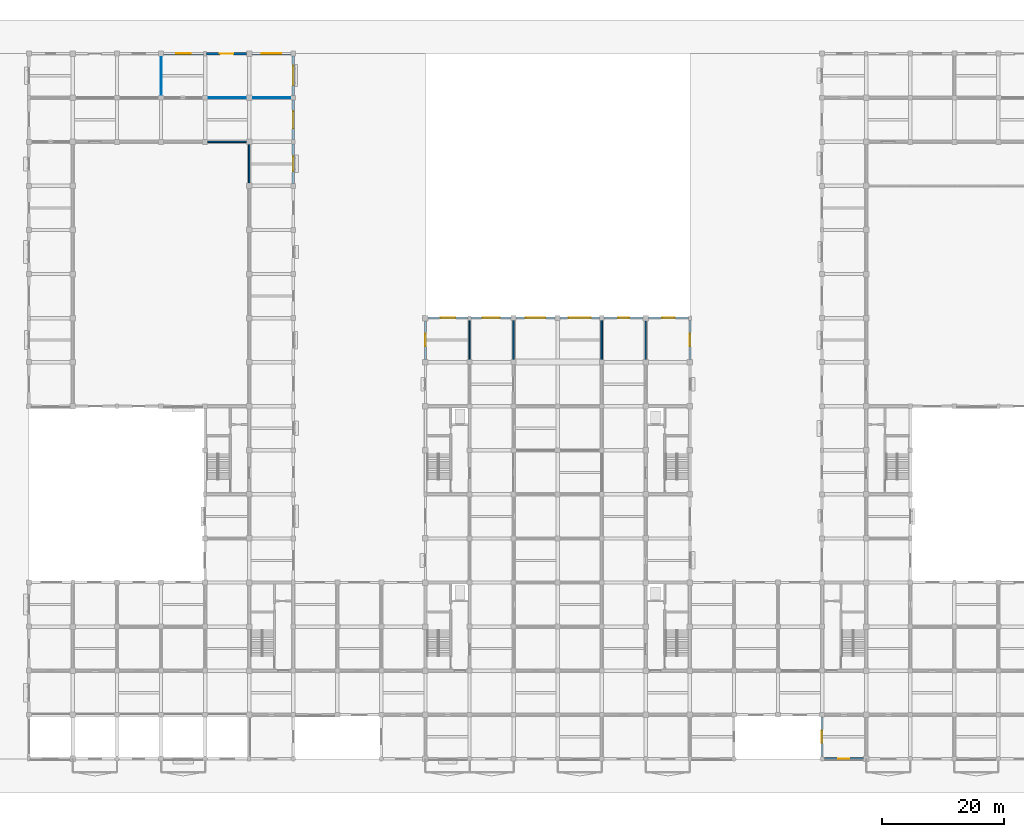
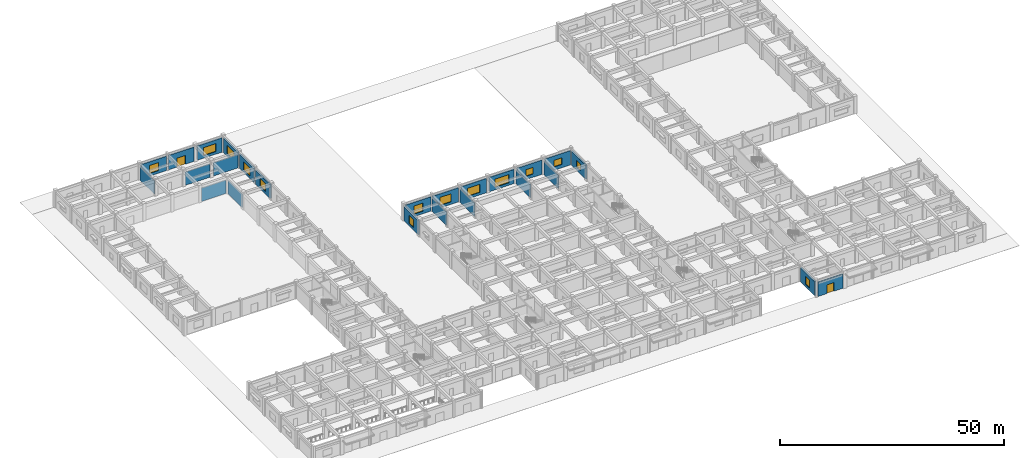
# One storey, part 16 of 37: 25 walls, 14 windows, 2 doors, 16 openings.
"""IFC4 building model written with IfcOpenShell, lengths in metres."""

import ifcopenshell
import ifcopenshell.guid

model = None  # the IFC model being written
_history = None  # IfcOwnerHistory: only IFC2X3 demands one
_inside = {}  # id of a spatial element -> (the spatial element, [elements in it])
_under = {}  # id of a project, library or spatial element -> (it, [spatial elements below it])
_declared = {}  # id of a project -> (the project, [libraries it declares])
_typed = {}  # id of a type object -> (the type object, [elements of that type])
_made_of = {}  # id of a material, layer set ... -> (it, [elements and type objects made of it])


def new_model(schema):
    """Start an empty IFC model of exactly this schema.

    Asked for "IFC4X3", IfcOpenShell would pick the latest addendum, in which some entities
    have other attributes; the version numbers below select the first issue.
    IFC2X3 requires an IfcOwnerHistory on every rooted entity: one is made here for all.
    """
    global model, _history
    if schema == "IFC4X3":
        model = ifcopenshell.file(schema_version=(4, 3, 0, 0))
    else:
        model = ifcopenshell.file(schema=schema)
    _inside.clear()
    _under.clear()
    _declared.clear()
    _typed.clear()
    _made_of.clear()
    _history = None
    if model.schema == "IFC2X3":
        org = make("IfcOrganization", Name="unknown")
        user = make(
            "IfcPersonAndOrganization",
            ThePerson=make("IfcPerson", FamilyName="unknown"),
            TheOrganization=org,
        )
        app = make(
            "IfcApplication",
            ApplicationDeveloper=org,
            Version="unknown",
            ApplicationFullName="unknown",
            ApplicationIdentifier="unknown",
        )
        _history = make(
            "IfcOwnerHistory",
            OwningUser=user,
            OwningApplication=app,
            ChangeAction="ADDED",
            CreationDate=0,
        )
    return model


def make(cls, **values):
    """One entity of the class cls with the attributes given. An attribute that is None is left unset."""
    return model.create_entity(
        cls, **{name: value for name, value in values.items() if value is not None}
    )


def rooted(cls, **values):
    """An entity with a GlobalId (a new one), such as an element, a storey or a relation."""
    return make(cls, GlobalId=ifcopenshell.guid.new(), OwnerHistory=_history, **values)


def si_unit(unit_type, name, prefix=None):
    """IfcSIUnit, for example si_unit("LENGTHUNIT", "METRE", prefix="MILLI")."""
    return make("IfcSIUnit", UnitType=unit_type, Prefix=prefix, Name=name)


def assignment(units):
    """IfcUnitAssignment: the units of a project."""
    return None if units is None else make("IfcUnitAssignment", Units=units)


def point(xyz):
    """IfcCartesianPoint."""
    return None if xyz is None else make("IfcCartesianPoint", Coordinates=xyz)


def direction(xyz):
    """IfcDirection."""
    return None if xyz is None else make("IfcDirection", DirectionRatios=xyz)


def frame(location, z_axis=None, x_axis=None):
    """IfcAxis2Placement3D, a coordinate frame: its origin and axes. An axis left out is left unset."""
    return make(
        "IfcAxis2Placement3D",
        Location=point(location),
        Axis=direction(z_axis),
        RefDirection=direction(x_axis),
    )


def frame_2d(location, x_axis=None):
    """IfcAxis2Placement2D, a coordinate frame in the plane: its origin and x axis."""
    return make(
        "IfcAxis2Placement2D", Location=point(location), RefDirection=direction(x_axis)
    )


def origin():
    """The frame at (0, 0, 0) with its axes left unset."""
    return frame((0.0, 0.0, 0.0))


def place(relative_to, where):
    """IfcLocalPlacement: puts the frame where relative to a parent placement (None: the world)."""
    return make(
        "IfcLocalPlacement", PlacementRelTo=relative_to, RelativePlacement=where
    )


def context(
    kind, dimensions, precision=None, world=None, true_north=None, identifier=None
):
    """IfcGeometricRepresentationContext, for example the 3D "Model" context."""
    return make(
        "IfcGeometricRepresentationContext",
        ContextIdentifier=identifier,
        ContextType=kind,
        CoordinateSpaceDimension=dimensions,
        Precision=precision,
        WorldCoordinateSystem=world,
        TrueNorth=true_north,
    )


def subcontext(parent, identifier, kind, view, scale=None):
    """IfcGeometricRepresentationSubContext, for example "Body" below "Model"."""
    return make(
        "IfcGeometricRepresentationSubContext",
        ContextIdentifier=identifier,
        ContextType=kind,
        ParentContext=parent,
        TargetScale=scale,
        TargetView=view,
    )


def project(units=None, contexts=None):
    """IfcProject with its units and contexts."""
    return rooted(
        "IfcProject",
        Name="project",
        RepresentationContexts=contexts,
        UnitsInContext=assignment(units),
    )


def spatial(cls, under=None, at=None, **own):
    """A site, building, storey or space (cls), placed at a placement, below another one or the project."""
    s = rooted(cls, ObjectPlacement=at, **own)
    if under is not None:
        _under.setdefault(under.id(), (under, []))[1].append(s)
    return s


def profile(cls, at=None, kind="AREA", **sizes):
    """A parametric profile (cls). Its sizes go by their IFC names, for example OverallWidth=200.0."""
    return make(cls, ProfileType=kind, Position=at, **sizes)


def rectangle(**sizes):
    """IfcRectangleProfileDef."""
    return profile("IfcRectangleProfileDef", **sizes)


def extrude(swept, where, along, depth):
    """IfcExtrudedAreaSolid: the profile swept, set in the frame where, extruded along a direction by depth."""
    return make(
        "IfcExtrudedAreaSolid",
        SweptArea=swept,
        Position=where,
        ExtrudedDirection=direction(along),
        Depth=depth,
    )


def shape(context_of_items, identifier, shape_type, items):
    """IfcShapeRepresentation: the items that make up one representation, for example the "Body"."""
    return make(
        "IfcShapeRepresentation",
        ContextOfItems=context_of_items,
        RepresentationIdentifier=identifier,
        RepresentationType=shape_type,
        Items=items,
    )


def material(Name=None, Category=None):
    """IfcMaterial."""
    return make("IfcMaterial", Name=Name, Category=Category)


def layer(
    of_material, thickness, ventilated=None, Name=None, Category=None, Priority=None
):
    """IfcMaterialLayer: one layer of a wall or slab, of a material (None: an air gap)."""
    return make(
        "IfcMaterialLayer",
        Material=of_material,
        LayerThickness=thickness,
        IsVentilated=ventilated,
        Name=Name,
        Category=Category,
        Priority=Priority,
    )


def layer_set(layers, Name=None):
    """IfcMaterialLayerSet."""
    return make("IfcMaterialLayerSet", MaterialLayers=layers, LayerSetName=Name)


def made_of(thing, what):
    """Note that an element or type object is made of a material, layer set ...; save() writes the relation."""
    if what is not None:
        _made_of.setdefault(what.id(), (what, []))[1].append(thing)
    return thing


def type_object(cls, material=None, **own):
    """A type object (cls), such as IfcWallType, which elements share."""
    return made_of(rooted(cls, **own), material)


def element(
    cls,
    number,
    at=None,
    inside=None,
    cuts=None,
    type_object=None,
    material=None,
    context=None,
    identifier="Body",
    shape_type=None,
    held_by="IfcProductDefinitionShape",
    body=None,
    shapes=None,
    **own,
):
    """One element of the class cls, such as IfcWall. Its Tag is "e" and its number.

    at: its placement. inside: the storey or other place that contains it. cuts: it is an
    opening in that element (IfcRelVoidsElement). A single representation is given by context,
    identifier, shape_type and body (its items); several are given by shapes. held_by: the class
    of the entity that holds the representations. save() writes the other relations.
    """
    e = rooted(cls, Tag="e%d" % number, ObjectPlacement=at, **own)
    if body is not None:
        shapes = [shape(context, identifier, shape_type, body)]
    if shapes is not None:
        e.Representation = make(held_by, Representations=shapes)
    if inside is not None:
        _inside.setdefault(inside.id(), (inside, []))[1].append(e)
    if cuts is not None:
        rooted(
            "IfcRelVoidsElement", RelatingBuildingElement=cuts, RelatedOpeningElement=e
        )
    if type_object is not None:
        _typed.setdefault(type_object.id(), (type_object, []))[1].append(e)
    return made_of(e, material)


def fill(opening, filler):
    """IfcRelFillsElement: the door or window that sits in an opening."""
    return rooted(
        "IfcRelFillsElement",
        RelatingOpeningElement=opening,
        RelatedBuildingElement=filler,
    )


def aggregate(whole, parts):
    """IfcRelAggregates: a whole, such as a stair, and the parts it consists of."""
    return rooted("IfcRelAggregates", RelatingObject=whole, RelatedObjects=parts)


def save(model, path):
    """Write the relations noted so far, then the file.

    IfcRelAggregates (storeys below a building ...), IfcRelContainedInSpatialStructure (elements
    in a storey), IfcRelDefinesByType, IfcRelAssociatesMaterial and IfcRelDeclares: one each for
    every whole, place, type object, material and project.
    """
    for whole, parts in _under.values():
        aggregate(whole, parts)
    for where, things in _inside.values():
        rooted(
            "IfcRelContainedInSpatialStructure",
            RelatedElements=things,
            RelatingStructure=where,
        )
    for kind, things in _typed.values():
        rooted("IfcRelDefinesByType", RelatedObjects=things, RelatingType=kind)
    for what, things in _made_of.values():
        rooted("IfcRelAssociatesMaterial", RelatedObjects=things, RelatingMaterial=what)
    for by, libraries in _declared.values():
        rooted("IfcRelDeclares", RelatingContext=by, RelatedDefinitions=libraries)
    model.write(path)


model = new_model("IFC4")

# Units and contexts
model_context = context("Model", 3, precision=1e-05, world=origin(), true_north=direction((0.0, 1.0)))
body_context = subcontext(model_context, "Body", "Model", "MODEL_VIEW")
ifc_project = project(units=[si_unit("LENGTHUNIT", "METRE"), si_unit("AREAUNIT", "SQUARE_METRE"), si_unit("VOLUMEUNIT", "CUBIC_METRE"), si_unit("PLANEANGLEUNIT", "RADIAN"), si_unit("MASSUNIT", "GRAM", prefix="KILO")], contexts=[model_context])

# Site, building, storey
site_placement = place(None, origin())
site = spatial("IfcSite", under=ifc_project, at=site_placement, CompositionType="ELEMENT")
building_placement = place(site_placement, origin())
building = spatial("IfcBuilding", under=site, at=building_placement, Name="Cendaluz Park School", CompositionType="ELEMENT")
storey_placement = place(building_placement, origin())
storey = spatial("IfcBuildingStorey", under=building, at=storey_placement, Name="L00", CompositionType="ELEMENT", Elevation=0.0)

# Walls
ifc_material_1 = material(Name="Gypsum Plasterboard on Cold-Formed Stud", Category="gypsum")
ifc_layer_1 = layer(ifc_material_1, 0.199951171875)
ifc_layer_set_1 = layer_set([ifc_layer_1], Name="Gypsum Plasterboard on Cold-Formed Stud")
wall_type_1 = type_object("IfcWallType", Name="W-AC20", PredefinedType="PARTITIONING", material=ifc_layer_set_1)
wall_1_placement = place(storey_placement, frame((72.0, 65.199951171875, 0.0), z_axis=(0.0, 0.0, 1.0), x_axis=(0.0, 1.0, 0.0)))
element("IfcWall", 1, at=wall_1_placement, inside=storey, type_object=wall_type_1, Name="WL-FA-CJ7", PredefinedType="PARTITIONING", context=body_context, shape_type="SweptSolid", body=[
    extrude(rectangle(XDim=6.425048828125, YDim=0.199951171875, at=frame_2d((3.21240234375, 0.0))), origin(), (0.0, 0.0, 1.0), 3.6201171875),
])
wall_2_placement = place(storey_placement, frame((100.800048828125, 65.25, 0.0), z_axis=(0.0, 0.0, 1.0), x_axis=(0.0, 1.0, 0.0)))
element("IfcWall", 2, at=wall_2_placement, inside=storey, type_object=wall_type_1, Name="WL-FA-CL8", PredefinedType="PARTITIONING", context=body_context, shape_type="SweptSolid", body=[
    extrude(rectangle(XDim=6.300048828125, YDim=0.199951171875, at=frame_2d((3.14990234375, 0.0))), origin(), (0.0, 0.0, 1.0), 3.6201171875),
])
ifc_layer_2 = layer(ifc_material_1, 0.25)
ifc_layer_set_2 = layer_set([ifc_layer_2], Name="Gypsum Plasterboard on Cold-Formed Stud")
wall_type_2 = type_object("IfcWallType", Name="W-CP25", PredefinedType="PARTITIONING", material=ifc_layer_set_2)
wall_3_placement = place(storey_placement, frame((29.199951171875, 100.800048828125, 0.0), z_axis=(0.0, 0.0, 1.0), x_axis=(1.0, 0.0, 0.0)))
element("IfcWall", 3, at=wall_3_placement, inside=storey, type_object=wall_type_2, Name="WL-FA-BZ4", PredefinedType="PARTITIONING", context=body_context, shape_type="SweptSolid", body=[
    extrude(rectangle(XDim=6.35009765625, YDim=0.25, at=frame_2d((3.175048828125, 0.0))), origin(), (0.0, 0.0, 1.0), 3.6201171875),
])
wall_4_placement = place(storey_placement, frame((36.0, 94.050048828125, 0.0), z_axis=(0.0, 0.0, 1.0), x_axis=(0.0, 1.0, 0.0)))
element("IfcWall", 4, at=wall_4_placement, inside=storey, type_object=wall_type_2, Name="WL-FA-BZ5", PredefinedType="PARTITIONING", context=body_context, shape_type="SweptSolid", body=[
    extrude(rectangle(XDim=6.300048828125, YDim=0.25, at=frame_2d((3.14990234375, 0.0))), origin(), (0.0, 0.0, 1.0), 3.6201171875),
])
for number, where, z_axis, x_axis, name in (
    (5, (79.199951171875, 65.199951171875, 0.0), (0.0, 0.0, 1.0), (0.0, 1.0, 0.0), "WL-FA-CE1"),
    (6, (93.60009765625, 65.199951171875, 0.0), (0.0, 0.0, 1.0), (0.0, 1.0, 0.0), "WL-FA-CE4"),
):
    element("IfcWall", number, at=place(storey_placement, frame(where, z_axis=z_axis, x_axis=x_axis)), inside=storey, type_object=wall_type_2, Name=name, PredefinedType="PARTITIONING", context=body_context, shape_type="SweptSolid", body=[
        extrude(rectangle(XDim=6.400146484375, YDim=0.25, at=frame_2d((3.2001953125, 0.0))), origin(), (0.0, 0.0, 1.0), 3.6201171875),
    ])

# Wall, opening, window
ifc_material_2 = material(Name="Concrete C40/50 precast", Category="concrete")
ifc_layer_3 = layer(ifc_material_2, 0.360107421875)
ifc_layer_set_3 = layer_set([ifc_layer_3], Name="Concrete C40/50 precast")
wall_type_3 = type_object("IfcWallType", Name="W-EX36", PredefinedType="SOLIDWALL", material=ifc_layer_set_3)
wall_5_placement = place(storey_placement, frame((22.0, 115.199951171875, 0.0), z_axis=(0.0, 0.0, 1.0), x_axis=(1.0, 0.0, 0.0)))
wall_5 = element("IfcWall", 7, at=wall_5_placement, inside=storey, type_object=wall_type_3, Name="WL-FA-AC7", PredefinedType="SOLIDWALL", context=body_context, shape_type="SweptSolid", body=[
    extrude(rectangle(XDim=6.550048828125, YDim=0.360107421875, at=frame_2d((3.27490234375, 0.0))), origin(), (0.0, 0.0, 1.0), 3.889892578125),
])
opening_1_placement = place(wall_5_placement, frame((2.074951171875, 0.0, 0.699951171875)))
opening_1 = element("IfcOpeningElement", 8, at=opening_1_placement, cuts=wall_5, Name="Opening WN-23", PredefinedType="OPENING", context=body_context, shape_type="SweptSolid", body=[
    extrude(rectangle(XDim=2.39990234375, YDim=2.199951171875, at=frame_2d((1.199951171875, 1.10009765625))), frame((0.0, 0.192138671875, 0.0), z_axis=(0.0, -1.0, 0.0), x_axis=(1.0, 0.0, 0.0)), (0.0, 0.0, 1.0), 0.384033203125),
])
ifc_material_3 = material(Name="Tempered Low-E Double Glazing", Category="glass")
window_type_1 = type_object("IfcWindowType", Name="WN-23", PartitioningType="SINGLE_PANEL", PredefinedType="WINDOW", material=ifc_material_3)
window_1_placement = place(opening_1_placement, origin())
window_1 = element("IfcWindow", 9, at=window_1_placement, inside=storey, type_object=window_type_1, Name="WN-L00-021", OverallHeight=2.199951171875, OverallWidth=2.39990234375, PartitioningType="SINGLE_PANEL", PredefinedType="WINDOW", context=body_context, shape_type="SweptSolid", body=[
    extrude(rectangle(XDim=2.39990234375, YDim=2.199951171875, at=frame_2d((1.199951171875, 1.10009765625))), frame((0.0, 0.030029296875, 0.0), z_axis=(0.0, -1.0, 0.0), x_axis=(1.0, 0.0, 0.0)), (0.0, 0.0, 1.0), 0.06005859375),
])
fill(opening_1, window_1)

# Wall, opening, door
wall_6_placement = place(storey_placement, frame((29.050048828125, 115.199951171875, 0.0), z_axis=(0.0, 0.0, 1.0), x_axis=(1.0, 0.0, 0.0)))
wall_6 = element("IfcWall", 10, at=wall_6_placement, inside=storey, type_object=wall_type_3, Name="WL-FA-AD1", PredefinedType="SOLIDWALL", context=body_context, shape_type="SweptSolid", body=[
    extrude(rectangle(XDim=6.5, YDim=0.360107421875, at=frame_2d((3.25, 0.0))), origin(), (0.0, 0.0, 1.0), 3.889892578125),
])
opening_2_placement = place(wall_6_placement, frame((2.14990234375, 0.0, 0.0)))
opening_2 = element("IfcOpeningElement", 11, at=opening_2_placement, cuts=wall_6, Name="Opening DEX-01", PredefinedType="OPENING", context=body_context, shape_type="SweptSolid", body=[
    extrude(rectangle(XDim=2.199951171875, YDim=2.39990234375, at=frame_2d((1.10009765625, 1.199951171875))), frame((0.0, 0.192138671875, 0.0), z_axis=(0.0, -1.0, 0.0), x_axis=(1.0, 0.0, 0.0)), (0.0, 0.0, 1.0), 0.384033203125),
])
ifc_material_4 = material(Name="Architectural Bronze")
door_type_1 = type_object("IfcDoorType", Name="DEX-01", OperationType="DOUBLE_DOOR_SINGLE_SWING", PredefinedType="DOOR", material=ifc_material_4)
door_1_placement = place(opening_2_placement, origin())
door_1 = element("IfcDoor", 12, at=door_1_placement, inside=storey, type_object=door_type_1, Name="D-L00-009", OperationType="DOUBLE_DOOR_SINGLE_SWING", OverallHeight=2.39990234375, OverallWidth=2.199951171875, PredefinedType="DOOR", context=body_context, shape_type="SweptSolid", body=[
    extrude(rectangle(XDim=2.199951171875, YDim=2.39990234375, at=frame_2d((1.10009765625, 1.199951171875))), frame((0.0, 0.02490234375, 0.0), z_axis=(0.0, -1.0, 0.0), x_axis=(1.0, 0.0, 0.0)), (0.0, 0.0, 1.0), 0.050048828125),
])
fill(opening_2, door_1)

# Wall, opening, window
wall_7_placement = place(storey_placement, frame((43.199951171875, 94.0, 0.0), z_axis=(0.0, 0.0, 1.0), x_axis=(0.0, 1.0, 0.0)))
wall_7 = element("IfcWall", 13, at=wall_7_placement, inside=storey, type_object=wall_type_3, Name="WL-FA-AE3", PredefinedType="SOLIDWALL", context=body_context, shape_type="SweptSolid", body=[
    extrude(rectangle(XDim=6.425048828125, YDim=0.360107421875, at=frame_2d((3.21240234375, 0.0))), origin(), (0.0, 0.0, 1.0), 3.889892578125),
])
opening_3_placement = place(wall_7_placement, frame((2.012451171875, 0.0, 0.699951171875)))
opening_3 = element("IfcOpeningElement", 14, at=opening_3_placement, cuts=wall_7, Name="Opening WN-23", PredefinedType="OPENING", context=body_context, shape_type="SweptSolid", body=[
    extrude(rectangle(XDim=2.39990234375, YDim=2.199951171875, at=frame_2d((1.199951171875, 1.10009765625))), frame((0.0, 0.192138671875, 0.0), z_axis=(0.0, -1.0, 0.0), x_axis=(1.0, 0.0, 0.0)), (0.0, 0.0, 1.0), 0.384033203125),
])
window_2_placement = place(opening_3_placement, origin())
window_2 = element("IfcWindow", 15, at=window_2_placement, inside=storey, type_object=window_type_1, Name="WN-L00-034", OverallHeight=2.199951171875, OverallWidth=2.39990234375, PartitioningType="SINGLE_PANEL", PredefinedType="WINDOW", context=body_context, shape_type="SweptSolid", body=[
    extrude(rectangle(XDim=2.39990234375, YDim=2.199951171875, at=frame_2d((1.199951171875, 1.10009765625))), frame((0.0, 0.030029296875, 0.0), z_axis=(0.0, -1.0, 0.0), x_axis=(1.0, 0.0, 0.0)), (0.0, 0.0, 1.0), 0.06005859375),
])
fill(opening_3, window_2)

wall_8_placement = place(storey_placement, frame((43.199951171875, 101.175048828125, 0.0), z_axis=(0.0, 0.0, 1.0), x_axis=(0.0, 1.0, 0.0)))
wall_8 = element("IfcWall", 16, at=wall_8_placement, inside=storey, type_object=wall_type_3, Name="WL-FA-AE4", PredefinedType="SOLIDWALL", context=body_context, shape_type="SweptSolid", body=[
    extrude(rectangle(XDim=6.425048828125, YDim=0.360107421875, at=frame_2d((3.21240234375, 0.0))), origin(), (0.0, 0.0, 1.0), 3.889892578125),
])
opening_4_placement = place(wall_8_placement, frame((1.8125, 0.0, 0.699951171875)))
opening_4 = element("IfcOpeningElement", 17, at=opening_4_placement, cuts=wall_8, Name="Opening WN-24", PredefinedType="OPENING", context=body_context, shape_type="SweptSolid", body=[
    extrude(rectangle(XDim=2.800048828125, YDim=2.199951171875, at=frame_2d((1.39990234375, 1.10009765625))), frame((0.0, 0.192138671875, 0.0), z_axis=(0.0, -1.0, 0.0), x_axis=(1.0, 0.0, 0.0)), (0.0, 0.0, 1.0), 0.384033203125),
])
window_type_2 = type_object("IfcWindowType", Name="WN-24", PartitioningType="SINGLE_PANEL", PredefinedType="WINDOW", material=ifc_material_3)
window_3_placement = place(opening_4_placement, origin())
window_3 = element("IfcWindow", 18, at=window_3_placement, inside=storey, type_object=window_type_2, Name="WN-L00-035", OverallHeight=2.199951171875, OverallWidth=2.800048828125, PartitioningType="SINGLE_PANEL", PredefinedType="WINDOW", context=body_context, shape_type="SweptSolid", body=[
    extrude(rectangle(XDim=2.800048828125, YDim=2.199951171875, at=frame_2d((1.39990234375, 1.10009765625))), frame((0.0, 0.030029296875, 0.0), z_axis=(0.0, -1.0, 0.0), x_axis=(1.0, 0.0, 0.0)), (0.0, 0.0, 1.0), 0.06005859375),
])
fill(opening_4, window_3)

wall_9_placement = place(storey_placement, frame((36.449951171875, 115.199951171875, 0.0), z_axis=(0.0, 0.0, 1.0), x_axis=(1.0, 0.0, 0.0)))
wall_9 = element("IfcWall", 19, at=wall_9_placement, inside=storey, type_object=wall_type_3, Name="WL-FA-AE5", PredefinedType="SOLIDWALL", context=body_context, shape_type="SweptSolid", body=[
    extrude(rectangle(XDim=6.35009765625, YDim=0.360107421875, at=frame_2d((3.175048828125, 0.0))), origin(), (0.0, 0.0, 1.0), 3.889892578125),
])
opening_5_placement = place(wall_9_placement, frame((1.574951171875, 0.0, 0.699951171875)))
opening_5 = element("IfcOpeningElement", 20, at=opening_5_placement, cuts=wall_9, Name="Opening WN-25", PredefinedType="OPENING", context=body_context, shape_type="SweptSolid", body=[
    extrude(rectangle(XDim=3.199951171875, YDim=2.199951171875, at=frame_2d((1.60009765625, 1.10009765625))), frame((0.0, 0.192138671875, 0.0), z_axis=(0.0, -1.0, 0.0), x_axis=(1.0, 0.0, 0.0)), (0.0, 0.0, 1.0), 0.384033203125),
])
window_type_3 = type_object("IfcWindowType", Name="WN-25", PartitioningType="SINGLE_PANEL", PredefinedType="WINDOW", material=ifc_material_3)
window_4_placement = place(opening_5_placement, origin())
window_4 = element("IfcWindow", 21, at=window_4_placement, inside=storey, type_object=window_type_3, Name="WN-L00-036", OverallHeight=2.199951171875, OverallWidth=3.199951171875, PartitioningType="SINGLE_PANEL", PredefinedType="WINDOW", context=body_context, shape_type="SweptSolid", body=[
    extrude(rectangle(XDim=3.199951171875, YDim=2.199951171875, at=frame_2d((1.60009765625, 1.10009765625))), frame((0.0, 0.030029296875, 0.0), z_axis=(0.0, -1.0, 0.0), x_axis=(1.0, 0.0, 0.0)), (0.0, 0.0, 1.0), 0.06005859375),
])
fill(opening_5, window_4)

wall_10_placement = place(storey_placement, frame((43.199951171875, 108.39990234375, 0.0), z_axis=(0.0, 0.0, 1.0), x_axis=(0.0, 1.0, 0.0)))
wall_10 = element("IfcWall", 22, at=wall_10_placement, inside=storey, type_object=wall_type_3, Name="WL-FA-AE6", PredefinedType="SOLIDWALL", context=body_context, shape_type="SweptSolid", body=[
    extrude(rectangle(XDim=6.400146484375, YDim=0.360107421875, at=frame_2d((3.2001953125, 0.0))), origin(), (0.0, 0.0, 1.0), 3.889892578125),
])
opening_6_placement = place(wall_10_placement, frame((1.60009765625, 0.0, 0.699951171875)))
opening_6 = element("IfcOpeningElement", 23, at=opening_6_placement, cuts=wall_10, Name="Opening WN-25", PredefinedType="OPENING", context=body_context, shape_type="SweptSolid", body=[
    extrude(rectangle(XDim=3.199951171875, YDim=2.199951171875, at=frame_2d((1.60009765625, 1.10009765625))), frame((0.0, 0.192138671875, 0.0), z_axis=(0.0, -1.0, 0.0), x_axis=(1.0, 0.0, 0.0)), (0.0, 0.0, 1.0), 0.384033203125),
])
window_5_placement = place(opening_6_placement, origin())
window_5 = element("IfcWindow", 24, at=window_5_placement, inside=storey, type_object=window_type_3, Name="WN-L00-037", OverallHeight=2.199951171875, OverallWidth=3.199951171875, PartitioningType="SINGLE_PANEL", PredefinedType="WINDOW", context=body_context, shape_type="SweptSolid", body=[
    extrude(rectangle(XDim=3.199951171875, YDim=2.199951171875, at=frame_2d((1.60009765625, 1.10009765625))), frame((0.0, 0.030029296875, 0.0), z_axis=(0.0, -1.0, 0.0), x_axis=(1.0, 0.0, 0.0)), (0.0, 0.0, 1.0), 0.06005859375),
])
fill(opening_6, window_5)

wall_11_placement = place(storey_placement, frame((65.25, 72.0, 0.0), z_axis=(0.0, 0.0, 1.0), x_axis=(1.0, 0.0, 0.0)))
wall_11 = element("IfcWall", 25, at=wall_11_placement, inside=storey, type_object=wall_type_3, Name="WL-FA-AF8", PredefinedType="SOLIDWALL", context=body_context, shape_type="SweptSolid", body=[
    extrude(rectangle(XDim=6.5, YDim=0.360107421875, at=frame_2d((3.25, 0.0))), origin(), (0.0, 0.0, 1.0), 3.889892578125),
])
opening_7_placement = place(wall_11_placement, frame((2.050048828125, 0.0, 0.699951171875)))
opening_7 = element("IfcOpeningElement", 26, at=opening_7_placement, cuts=wall_11, Name="Opening WN-23", PredefinedType="OPENING", context=body_context, shape_type="SweptSolid", body=[
    extrude(rectangle(XDim=2.39990234375, YDim=2.199951171875, at=frame_2d((1.199951171875, 1.10009765625))), frame((0.0, 0.192138671875, 0.0), z_axis=(0.0, -1.0, 0.0), x_axis=(1.0, 0.0, 0.0)), (0.0, 0.0, 1.0), 0.384033203125),
])
window_6_placement = place(opening_7_placement, origin())
window_6 = element("IfcWindow", 27, at=window_6_placement, inside=storey, type_object=window_type_1, Name="WN-L00-046", OverallHeight=2.199951171875, OverallWidth=2.39990234375, PartitioningType="SINGLE_PANEL", PredefinedType="WINDOW", context=body_context, shape_type="SweptSolid", body=[
    extrude(rectangle(XDim=2.39990234375, YDim=2.199951171875, at=frame_2d((1.199951171875, 1.10009765625))), frame((0.0, 0.030029296875, 0.0), z_axis=(0.0, -1.0, 0.0), x_axis=(1.0, 0.0, 0.0)), (0.0, 0.0, 1.0), 0.06005859375),
])
fill(opening_7, window_6)

wall_12_placement = place(storey_placement, frame((64.800048828125, 65.25, 0.0), z_axis=(0.0, 0.0, 1.0), x_axis=(0.0, 1.0, 0.0)))
wall_12 = element("IfcWall", 28, at=wall_12_placement, inside=storey, type_object=wall_type_3, Name="WL-FA-AF9", PredefinedType="SOLIDWALL", context=body_context, shape_type="SweptSolid", body=[
    extrude(rectangle(XDim=6.300048828125, YDim=0.360107421875, at=frame_2d((3.14990234375, 0.0))), origin(), (0.0, 0.0, 1.0), 3.889892578125),
])
opening_8_placement = place(wall_12_placement, frame((2.14990234375, 0.0, 0.699951171875)))
opening_8 = element("IfcOpeningElement", 29, at=opening_8_placement, cuts=wall_12, Name="Opening WN-22", PredefinedType="OPENING", context=body_context, shape_type="SweptSolid", body=[
    extrude(rectangle(XDim=2.0, YDim=2.199951171875, at=frame_2d((1.0, 1.10009765625))), frame((0.0, 0.192138671875, 0.0), z_axis=(0.0, -1.0, 0.0), x_axis=(1.0, 0.0, 0.0)), (0.0, 0.0, 1.0), 0.384033203125),
])
window_type_4 = type_object("IfcWindowType", Name="WN-22", PartitioningType="SINGLE_PANEL", PredefinedType="WINDOW", material=ifc_material_3)
window_7_placement = place(opening_8_placement, origin())
window_7 = element("IfcWindow", 30, at=window_7_placement, inside=storey, type_object=window_type_4, Name="WN-L00-047", OverallHeight=2.199951171875, OverallWidth=2.0, PartitioningType="SINGLE_PANEL", PredefinedType="WINDOW", context=body_context, shape_type="SweptSolid", body=[
    extrude(rectangle(XDim=2.0, YDim=2.199951171875, at=frame_2d((1.0, 1.10009765625))), frame((0.0, 0.030029296875, 0.0), z_axis=(0.0, -1.0, 0.0), x_axis=(1.0, 0.0, 0.0)), (0.0, 0.0, 1.0), 0.06005859375),
])
fill(opening_8, window_7)

wall_13_placement = place(storey_placement, frame((72.25, 72.0, 0.0), z_axis=(0.0, 0.0, 1.0), x_axis=(1.0, 0.0, 0.0)))
wall_13 = element("IfcWall", 31, at=wall_13_placement, inside=storey, type_object=wall_type_3, Name="WL-FA-AG1", PredefinedType="SOLIDWALL", context=body_context, shape_type="SweptSolid", body=[
    extrude(rectangle(XDim=6.550048828125, YDim=0.360107421875, at=frame_2d((3.27490234375, 0.0))), origin(), (0.0, 0.0, 1.0), 3.889892578125),
])
opening_9_placement = place(wall_13_placement, frame((1.875, 0.0, 0.699951171875)))
opening_9 = element("IfcOpeningElement", 32, at=opening_9_placement, cuts=wall_13, Name="Opening WN-24", PredefinedType="OPENING", context=body_context, shape_type="SweptSolid", body=[
    extrude(rectangle(XDim=2.800048828125, YDim=2.199951171875, at=frame_2d((1.39990234375, 1.10009765625))), frame((0.0, 0.192138671875, 0.0), z_axis=(0.0, -1.0, 0.0), x_axis=(1.0, 0.0, 0.0)), (0.0, 0.0, 1.0), 0.384033203125),
])
window_8_placement = place(opening_9_placement, origin())
window_8 = element("IfcWindow", 33, at=window_8_placement, inside=storey, type_object=window_type_2, Name="WN-L00-048", OverallHeight=2.199951171875, OverallWidth=2.800048828125, PartitioningType="SINGLE_PANEL", PredefinedType="WINDOW", context=body_context, shape_type="SweptSolid", body=[
    extrude(rectangle(XDim=2.800048828125, YDim=2.199951171875, at=frame_2d((1.39990234375, 1.10009765625))), frame((0.0, 0.030029296875, 0.0), z_axis=(0.0, -1.0, 0.0), x_axis=(1.0, 0.0, 0.0)), (0.0, 0.0, 1.0), 0.06005859375),
])
fill(opening_9, window_8)

wall_14_placement = place(storey_placement, frame((79.60009765625, 72.0, 0.0), z_axis=(0.0, 0.0, 1.0), x_axis=(1.0, 0.0, 0.0)))
wall_14 = element("IfcWall", 34, at=wall_14_placement, inside=storey, type_object=wall_type_3, Name="WL-FA-AG3", PredefinedType="SOLIDWALL", context=body_context, shape_type="SweptSolid", body=[
    extrude(rectangle(XDim=6.39990234375, YDim=0.360107421875, at=frame_2d((3.199951171875, 0.0))), origin(), (0.0, 0.0, 1.0), 3.889892578125),
])
opening_10_placement = place(wall_14_placement, frame((1.60009765625, 0.0, 0.699951171875)))
opening_10 = element("IfcOpeningElement", 35, at=opening_10_placement, cuts=wall_14, Name="Opening WN-25", PredefinedType="OPENING", context=body_context, shape_type="SweptSolid", body=[
    extrude(rectangle(XDim=3.199951171875, YDim=2.199951171875, at=frame_2d((1.60009765625, 1.10009765625))), frame((0.0, 0.192138671875, 0.0), z_axis=(0.0, -1.0, 0.0), x_axis=(1.0, 0.0, 0.0)), (0.0, 0.0, 1.0), 0.384033203125),
])
window_9_placement = place(opening_10_placement, origin())
window_9 = element("IfcWindow", 36, at=window_9_placement, inside=storey, type_object=window_type_3, Name="WN-L00-049", OverallHeight=2.199951171875, OverallWidth=3.199951171875, PartitioningType="SINGLE_PANEL", PredefinedType="WINDOW", context=body_context, shape_type="SweptSolid", body=[
    extrude(rectangle(XDim=3.199951171875, YDim=2.199951171875, at=frame_2d((1.60009765625, 1.10009765625))), frame((0.0, 0.030029296875, 0.0), z_axis=(0.0, -1.0, 0.0), x_axis=(1.0, 0.0, 0.0)), (0.0, 0.0, 1.0), 0.06005859375),
])
fill(opening_10, window_9)

wall_15_placement = place(storey_placement, frame((86.800048828125, 72.0, 0.0), z_axis=(0.0, 0.0, 1.0), x_axis=(1.0, 0.0, 0.0)))
wall_15 = element("IfcWall", 37, at=wall_15_placement, inside=storey, type_object=wall_type_3, Name="WL-FA-AG5", PredefinedType="SOLIDWALL", context=body_context, shape_type="SweptSolid", body=[
    extrude(rectangle(XDim=6.39990234375, YDim=0.360107421875, at=frame_2d((3.199951171875, 0.0))), origin(), (0.0, 0.0, 1.0), 3.889892578125),
])
opening_11_placement = place(wall_15_placement, frame((1.39990234375, 0.0, 0.699951171875)))
opening_11 = element("IfcOpeningElement", 38, at=opening_11_placement, cuts=wall_15, Name="Opening WN-26", PredefinedType="OPENING", context=body_context, shape_type="SweptSolid", body=[
    extrude(rectangle(XDim=3.60009765625, YDim=2.199951171875, at=frame_2d((1.800048828125, 1.10009765625))), frame((0.0, 0.192138671875, 0.0), z_axis=(0.0, -1.0, 0.0), x_axis=(1.0, 0.0, 0.0)), (0.0, 0.0, 1.0), 0.384033203125),
])
window_type_5 = type_object("IfcWindowType", Name="WN-26", PartitioningType="SINGLE_PANEL", PredefinedType="WINDOW", material=ifc_material_3)
window_10_placement = place(opening_11_placement, origin())
window_10 = element("IfcWindow", 39, at=window_10_placement, inside=storey, type_object=window_type_5, Name="WN-L00-050", OverallHeight=2.199951171875, OverallWidth=3.60009765625, PartitioningType="SINGLE_PANEL", PredefinedType="WINDOW", context=body_context, shape_type="SweptSolid", body=[
    extrude(rectangle(XDim=3.60009765625, YDim=2.199951171875, at=frame_2d((1.800048828125, 1.10009765625))), frame((0.0, 0.030029296875, 0.0), z_axis=(0.0, -1.0, 0.0), x_axis=(1.0, 0.0, 0.0)), (0.0, 0.0, 1.0), 0.06005859375),
])
fill(opening_11, window_10)

wall_16_placement = place(storey_placement, frame((94.0, 72.0, 0.0), z_axis=(0.0, 0.0, 1.0), x_axis=(1.0, 0.0, 0.0)))
wall_16 = element("IfcWall", 40, at=wall_16_placement, inside=storey, type_object=wall_type_3, Name="WL-FA-AG7", PredefinedType="SOLIDWALL", context=body_context, shape_type="SweptSolid", body=[
    extrude(rectangle(XDim=6.35009765625, YDim=0.360107421875, at=frame_2d((3.175048828125, 0.0))), origin(), (0.0, 0.0, 1.0), 3.889892578125),
])
opening_12_placement = place(wall_16_placement, frame((2.27490234375, 0.0, 0.89990234375)))
opening_12 = element("IfcOpeningElement", 41, at=opening_12_placement, cuts=wall_16, Name="Opening WN-01", PredefinedType="OPENING", context=body_context, shape_type="SweptSolid", body=[
    extrude(rectangle(XDim=1.800048828125, YDim=1.800048828125, at=frame_2d((0.89990234375, 0.89990234375))), frame((0.0, 0.192138671875, 0.0), z_axis=(0.0, -1.0, 0.0), x_axis=(1.0, 0.0, 0.0)), (0.0, 0.0, 1.0), 0.384033203125),
])
window_type_6 = type_object("IfcWindowType", Name="WN-01", PartitioningType="SINGLE_PANEL", PredefinedType="WINDOW", material=ifc_material_3)
window_11_placement = place(opening_12_placement, origin())
window_11 = element("IfcWindow", 42, at=window_11_placement, inside=storey, type_object=window_type_6, Name="WN-L00-051", OverallHeight=1.800048828125, OverallWidth=1.800048828125, PartitioningType="SINGLE_PANEL", PredefinedType="WINDOW", context=body_context, shape_type="SweptSolid", body=[
    extrude(rectangle(XDim=1.800048828125, YDim=1.800048828125, at=frame_2d((0.89990234375, 0.89990234375))), frame((0.0, 0.030029296875, 0.0), z_axis=(0.0, -1.0, 0.0), x_axis=(1.0, 0.0, 0.0)), (0.0, 0.0, 1.0), 0.06005859375),
])
fill(opening_12, window_11)

wall_17_placement = place(storey_placement, frame((101.25, 72.0, 0.0), z_axis=(0.0, 0.0, 1.0), x_axis=(1.0, 0.0, 0.0)))
wall_17 = element("IfcWall", 43, at=wall_17_placement, inside=storey, type_object=wall_type_3, Name="WL-FA-AH2", PredefinedType="SOLIDWALL", context=body_context, shape_type="SweptSolid", body=[
    extrude(rectangle(XDim=6.5, YDim=0.360107421875, at=frame_2d((3.25, 0.0))), origin(), (0.0, 0.0, 1.0), 3.889892578125),
])
opening_13_placement = place(wall_17_placement, frame((2.25, 0.0, 0.89990234375)))
opening_13 = element("IfcOpeningElement", 44, at=opening_13_placement, cuts=wall_17, Name="Opening WN-02", PredefinedType="OPENING", context=body_context, shape_type="SweptSolid", body=[
    extrude(rectangle(XDim=2.0, YDim=1.800048828125, at=frame_2d((1.0, 0.89990234375))), frame((0.0, 0.192138671875, 0.0), z_axis=(0.0, -1.0, 0.0), x_axis=(1.0, 0.0, 0.0)), (0.0, 0.0, 1.0), 0.384033203125),
])
window_type_7 = type_object("IfcWindowType", Name="WN-02", PartitioningType="SINGLE_PANEL", PredefinedType="WINDOW", material=ifc_material_3)
window_12_placement = place(opening_13_placement, origin())
window_12 = element("IfcWindow", 45, at=window_12_placement, inside=storey, type_object=window_type_7, Name="WN-L00-056", OverallHeight=1.800048828125, OverallWidth=2.0, PartitioningType="SINGLE_PANEL", PredefinedType="WINDOW", context=body_context, shape_type="SweptSolid", body=[
    extrude(rectangle(XDim=2.0, YDim=1.800048828125, at=frame_2d((1.0, 0.89990234375))), frame((0.0, 0.030029296875, 0.0), z_axis=(0.0, -1.0, 0.0), x_axis=(1.0, 0.0, 0.0)), (0.0, 0.0, 1.0), 0.06005859375),
])
fill(opening_13, window_12)

wall_18_placement = place(storey_placement, frame((108.0, 65.25, 0.0), z_axis=(0.0, 0.0, 1.0), x_axis=(0.0, 1.0, 0.0)))
wall_18 = element("IfcWall", 46, at=wall_18_placement, inside=storey, type_object=wall_type_3, Name="WL-FA-AH3", PredefinedType="SOLIDWALL", context=body_context, shape_type="SweptSolid", body=[
    extrude(rectangle(XDim=6.375, YDim=0.360107421875, at=frame_2d((3.1875, 0.0))), origin(), (0.0, 0.0, 1.0), 3.889892578125),
])
opening_14_placement = place(wall_18_placement, frame((2.1875, 0.0, 0.89990234375)))
opening_14 = element("IfcOpeningElement", 47, at=opening_14_placement, cuts=wall_18, Name="Opening WN-02", PredefinedType="OPENING", context=body_context, shape_type="SweptSolid", body=[
    extrude(rectangle(XDim=2.0, YDim=1.800048828125, at=frame_2d((1.0, 0.89990234375))), frame((0.0, 0.192138671875, 0.0), z_axis=(0.0, -1.0, 0.0), x_axis=(1.0, 0.0, 0.0)), (0.0, 0.0, 1.0), 0.384033203125),
])
window_13_placement = place(opening_14_placement, origin())
window_13 = element("IfcWindow", 48, at=window_13_placement, inside=storey, type_object=window_type_7, Name="WN-L00-057", OverallHeight=1.800048828125, OverallWidth=2.0, PartitioningType="SINGLE_PANEL", PredefinedType="WINDOW", context=body_context, shape_type="SweptSolid", body=[
    extrude(rectangle(XDim=2.0, YDim=1.800048828125, at=frame_2d((1.0, 0.89990234375))), frame((0.0, 0.030029296875, 0.0), z_axis=(0.0, -1.0, 0.0), x_axis=(1.0, 0.0, 0.0)), (0.0, 0.0, 1.0), 0.06005859375),
])
fill(opening_14, window_13)

# Wall, opening, door
wall_19_placement = place(storey_placement, frame((129.97509765625, 0.0, 0.0), z_axis=(0.0, 0.0, 1.0), x_axis=(1.0, 0.0, 0.0)))
wall_19 = element("IfcWall", 49, at=wall_19_placement, inside=storey, type_object=wall_type_3, Name="WL-FA-AI1", PredefinedType="SOLIDWALL", context=body_context, shape_type="SweptSolid", body=[
    extrude(rectangle(XDim=6.375, YDim=0.360107421875, at=frame_2d((3.1875, 0.0))), origin(), (0.0, 0.0, 1.0), 3.889892578125),
])
opening_15_placement = place(wall_19_placement, frame((2.28759765625, 0.0, 0.0)))
opening_15 = element("IfcOpeningElement", 50, at=opening_15_placement, cuts=wall_19, Name="Opening DEX-03", PredefinedType="OPENING", context=body_context, shape_type="SweptSolid", body=[
    extrude(rectangle(XDim=1.800048828125, YDim=2.35009765625, at=frame_2d((0.89990234375, 1.175048828125))), frame((0.0, 0.192138671875, 0.0), z_axis=(0.0, -1.0, 0.0), x_axis=(1.0, 0.0, 0.0)), (0.0, 0.0, 1.0), 0.384033203125),
])
door_type_2 = type_object("IfcDoorType", Name="DEX-03", OperationType="DOUBLE_DOOR_SINGLE_SWING", PredefinedType="DOOR", material=ifc_material_4)
door_2_placement = place(opening_15_placement, frame((1.800048828125, 0.0, 0.0), z_axis=(0.0, 0.0, 1.0), x_axis=(-1.0, 0.0, 0.0)))
door_2 = element("IfcDoor", 51, at=door_2_placement, inside=storey, type_object=door_type_2, Name="D-L00-021", OperationType="DOUBLE_DOOR_SINGLE_SWING", OverallHeight=2.35009765625, OverallWidth=1.800048828125, PredefinedType="DOOR", context=body_context, shape_type="SweptSolid", body=[
    extrude(rectangle(XDim=1.800048828125, YDim=2.35009765625, at=frame_2d((0.89990234375, 1.175048828125))), frame((0.0, 0.02490234375, 0.0), z_axis=(0.0, -1.0, 0.0), x_axis=(1.0, 0.0, 0.0)), (0.0, 0.0, 1.0), 0.050048828125),
])
fill(opening_15, door_2)

# Wall, opening, window
wall_20_placement = place(storey_placement, frame((129.60009765625, 0.375, 0.0), z_axis=(0.0, 0.0, 1.0), x_axis=(0.0, 1.0, 0.0)))
wall_20 = element("IfcWall", 52, at=wall_20_placement, inside=storey, type_object=wall_type_3, Name="WL-FA-AI2", PredefinedType="SOLIDWALL", context=body_context, shape_type="SweptSolid", body=[
    extrude(rectangle(XDim=6.425048828125, YDim=0.360107421875, at=frame_2d((3.21240234375, 0.0))), origin(), (0.0, 0.0, 1.0), 3.889892578125),
])
opening_16_placement = place(wall_20_placement, frame((2.21240234375, 0.0, 0.699951171875)))
opening_16 = element("IfcOpeningElement", 53, at=opening_16_placement, cuts=wall_20, Name="Opening WN-22", PredefinedType="OPENING", context=body_context, shape_type="SweptSolid", body=[
    extrude(rectangle(XDim=2.0, YDim=2.199951171875, at=frame_2d((1.0, 1.10009765625))), frame((0.0, 0.192138671875, 0.0), z_axis=(0.0, -1.0, 0.0), x_axis=(1.0, 0.0, 0.0)), (0.0, 0.0, 1.0), 0.384033203125),
])
window_14_placement = place(opening_16_placement, origin())
window_14 = element("IfcWindow", 54, at=window_14_placement, inside=storey, type_object=window_type_4, Name="WN-L00-062", OverallHeight=2.199951171875, OverallWidth=2.0, PartitioningType="SINGLE_PANEL", PredefinedType="WINDOW", context=body_context, shape_type="SweptSolid", body=[
    extrude(rectangle(XDim=2.0, YDim=2.199951171875, at=frame_2d((1.0, 1.10009765625))), frame((0.0, 0.030029296875, 0.0), z_axis=(0.0, -1.0, 0.0), x_axis=(1.0, 0.0, 0.0)), (0.0, 0.0, 1.0), 0.06005859375),
])
fill(opening_16, window_14)

# Walls
ifc_layer_4 = layer(ifc_material_1, 0.159912109375)
ifc_layer_set_4 = layer_set([ifc_layer_4], Name="Gypsum Plasterboard on Cold-Formed Stud")
wall_type_4 = type_object("IfcWallType", Name="W-WC16", PredefinedType="PARTITIONING", material=ifc_layer_set_4)
wall_21_placement = place(storey_placement, frame((21.60009765625, 108.39990234375, 0.0), z_axis=(0.0, 0.0, 1.0), x_axis=(0.0, 1.0, 0.0)))
element("IfcWall", 55, at=wall_21_placement, inside=storey, type_object=wall_type_4, Name="WL-FA-CA0", PredefinedType="PARTITIONING", context=body_context, shape_type="SweptSolid", body=[
    extrude(rectangle(XDim=6.400146484375, YDim=0.159912109375, at=frame_2d((3.2001953125, 0.0))), origin(), (0.0, 0.0, 1.0), 3.6201171875),
])
for number, where, z_axis, x_axis, name in (
    (56, (29.199951171875, 108.0, 0.0), (0.0, 0.0, 1.0), (1.0, 0.0, 0.0), "WL-FA-CA2"),
    (57, (36.449951171875, 108.0, 0.0), (0.0, 0.0, 1.0), (1.0, 0.0, 0.0), "WL-FA-CA3"),
):
    element("IfcWall", number, at=place(storey_placement, frame(where, z_axis=z_axis, x_axis=x_axis)), inside=storey, type_object=wall_type_4, Name=name, PredefinedType="PARTITIONING", context=body_context, shape_type="SweptSolid", body=[
        extrude(rectangle(XDim=6.35009765625, YDim=0.159912109375, at=frame_2d((3.175048828125, 0.0))), origin(), (0.0, 0.0, 1.0), 3.6201171875),
    ])

save(model, "model.ifc")
